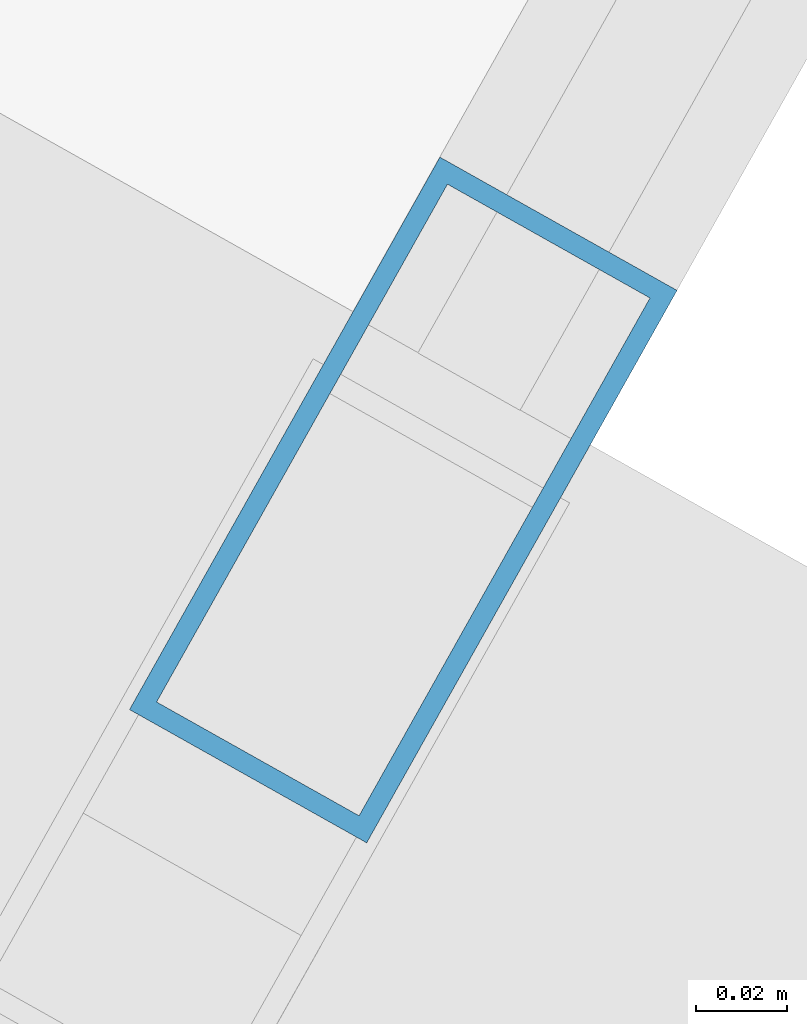
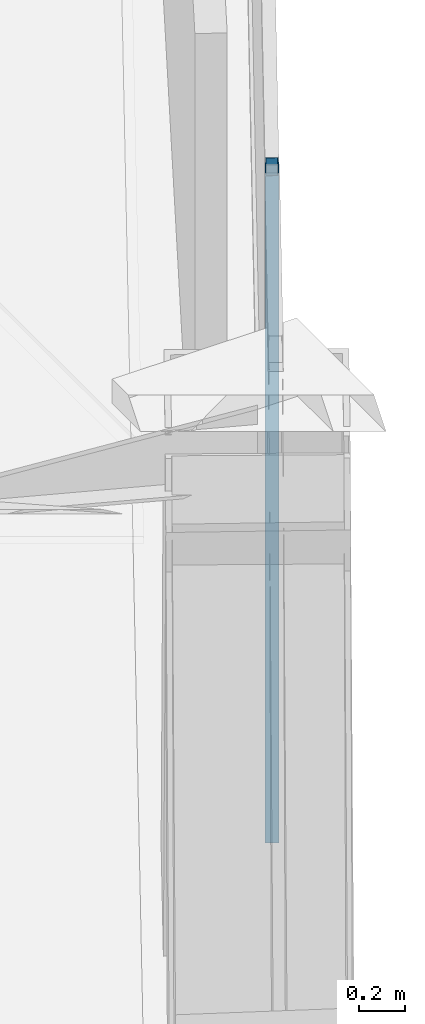
# One storey, part 11 of 21: 1 member, 1 element without a shape of its own.
"""IFC4 building model written with IfcOpenShell, lengths in metres."""

from ifc_helpers import new_model, si_unit, direction, frame, origin, origin_2d, place, context, subcontext, project, spatial, hollow_rectangle, extrude, material, layer, layer_set, material_profile, profile_set, type_object, element, aggregate, save


model = new_model("IFC4")

# Units and contexts
model_context = context("Model", 3, precision=1e-05, world=origin(), true_north=direction((0.0, 1.0)))
body_context = subcontext(model_context, "Body", "Model", "MODEL_VIEW")
ifc_project = project(units=[si_unit("LENGTHUNIT", "METRE"), si_unit("AREAUNIT", "SQUARE_METRE"), si_unit("VOLUMEUNIT", "CUBIC_METRE"), si_unit("PLANEANGLEUNIT", "RADIAN"), si_unit("MASSUNIT", "GRAM", prefix="KILO")], contexts=[model_context])

# Site, building, storey
site_placement = place(None, origin())
site = spatial("IfcSite", under=ifc_project, at=site_placement, CompositionType="ELEMENT")
building_placement = place(site_placement, origin())
building = spatial("IfcBuilding", under=site, at=building_placement, Name="Qianvela Tower", CompositionType="ELEMENT")
storey_placement = place(building_placement, frame((0.0, 0.0, 302.800048828125)))
storey = spatial("IfcBuildingStorey", under=building, at=storey_placement, Name="L78", CompositionType="ELEMENT", Elevation=302.800048828125)

# Curtain wall, member
ifc_material_1 = material(Name="Anodised Architectural Aluminium and Low-E Glass", Category="aluminium")
ifc_layer = layer(ifc_material_1, 0.14990234375)
ifc_layer_set = layer_set([ifc_layer], Name="Anodised Architectural Aluminium and Low-E Glass")
curtain_wall_type = type_object("IfcCurtainWallType", Name="CW-COLIV-Z78", PredefinedType="USERDEFINED", material=ifc_layer_set)
curtain_wall_placement = place(storey_placement, origin())
curtain_wall = element("IfcCurtainWall", 1, at=curtain_wall_placement, inside=storey, type_object=curtain_wall_type, Name="L78 CW-COLIV-Z78 Curtain Wall 06C", ObjectType="CURTAIN_WALL_SYSTEM", PredefinedType="USERDEFINED")
ifc_material_2 = material(Name="Anodised Architectural Aluminium 6063-T6", Category="aluminium")
ifc_material_profile = material_profile(ifc_material_2, hollow_rectangle(XDim=0.06005859375, YDim=0.139892578125, WallThickness=0.00439453125, at=origin_2d()), Name="ALU-MULL-60x140")
ifc_profile_set = profile_set([ifc_material_profile], Name="Anodised Architectural Aluminium 6063-T6")
member_type = type_object("IfcMemberType", Name="CW-COLIV-Z78-MULL", PredefinedType="MULLION", material=ifc_profile_set)
member_placement = place(storey_placement, frame((48.122314453125, 23.026123046875, 0.0), z_axis=(0.0, 0.0, 1.0), x_axis=(-0.871838280576, 0.489793846963, 0.0)))
member = element("IfcMember", 2, at=member_placement, type_object=member_type, Name="CW-6 mullion 1", PredefinedType="MULLION", context=body_context, shape_type="SweptSolid", body=[
    extrude(hollow_rectangle(XDim=0.06005859375, YDim=0.139892578125, WallThickness=0.00439453125, at=origin_2d()), origin(), (0.0, 0.0, 1.0), 3.52001953125),
])
aggregate(curtain_wall, [member])

save(model, "model.ifc")
